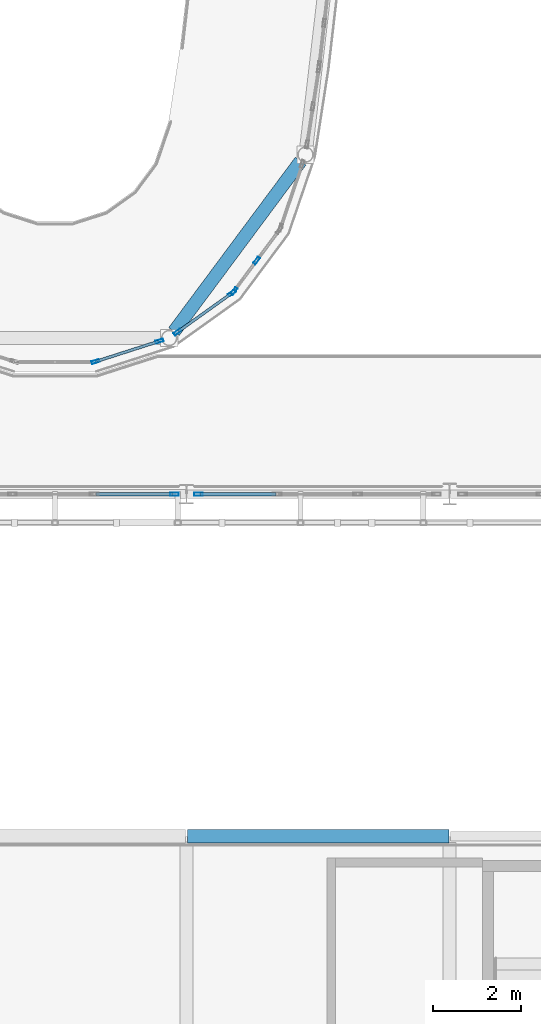
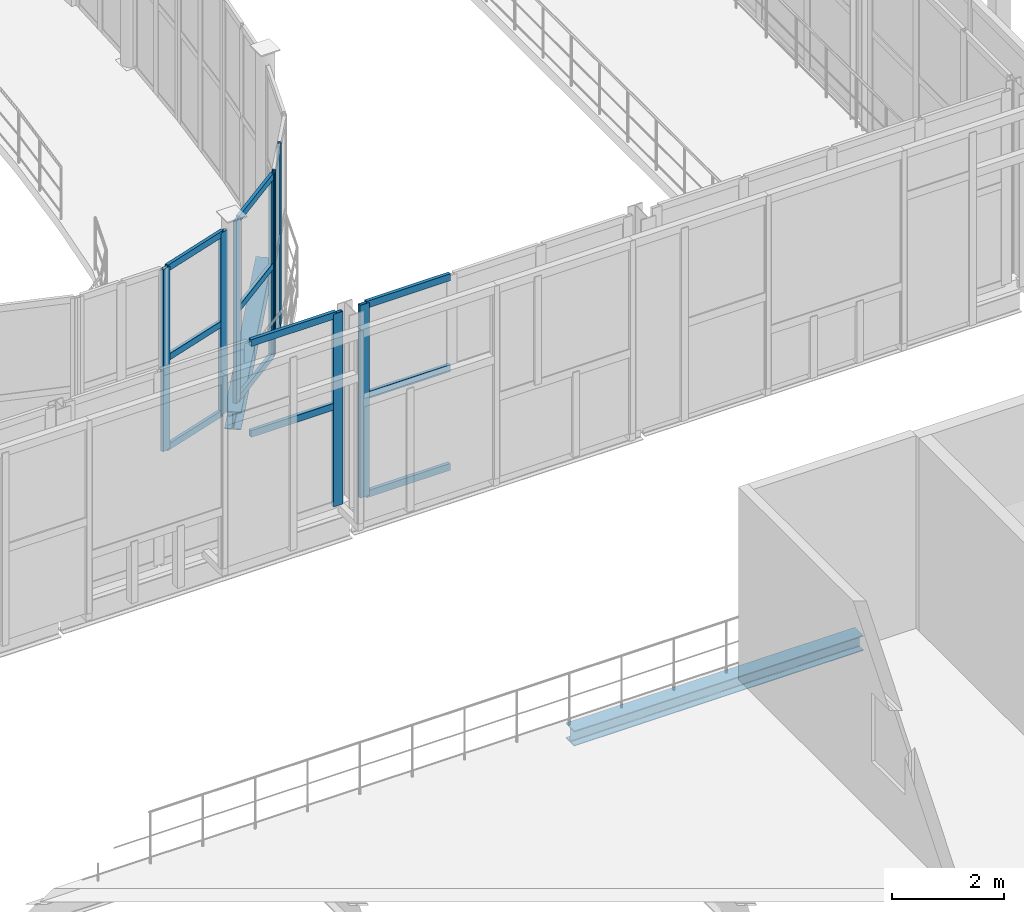
# One storey, part 30 of 138: 19 members, 2 beams, 5 elements without a shape of their own.
"""IFC4 building model written with IfcOpenShell, lengths in metres."""

import ifcopenshell
import ifcopenshell.guid

model = None  # the IFC model being written
_history = None  # IfcOwnerHistory: only IFC2X3 demands one
_inside = {}  # id of a spatial element -> (the spatial element, [elements in it])
_under = {}  # id of a project, library or spatial element -> (it, [spatial elements below it])
_declared = {}  # id of a project -> (the project, [libraries it declares])
_typed = {}  # id of a type object -> (the type object, [elements of that type])
_made_of = {}  # id of a material, layer set ... -> (it, [elements and type objects made of it])


def new_model(schema):
    """Start an empty IFC model of exactly this schema.

    Asked for "IFC4X3", IfcOpenShell would pick the latest addendum, in which some entities
    have other attributes; the version numbers below select the first issue.
    IFC2X3 requires an IfcOwnerHistory on every rooted entity: one is made here for all.
    """
    global model, _history
    if schema == "IFC4X3":
        model = ifcopenshell.file(schema_version=(4, 3, 0, 0))
    else:
        model = ifcopenshell.file(schema=schema)
    _inside.clear()
    _under.clear()
    _declared.clear()
    _typed.clear()
    _made_of.clear()
    _history = None
    if model.schema == "IFC2X3":
        org = make("IfcOrganization", Name="unknown")
        user = make(
            "IfcPersonAndOrganization",
            ThePerson=make("IfcPerson", FamilyName="unknown"),
            TheOrganization=org,
        )
        app = make(
            "IfcApplication",
            ApplicationDeveloper=org,
            Version="unknown",
            ApplicationFullName="unknown",
            ApplicationIdentifier="unknown",
        )
        _history = make(
            "IfcOwnerHistory",
            OwningUser=user,
            OwningApplication=app,
            ChangeAction="ADDED",
            CreationDate=0,
        )
    return model


def make(cls, **values):
    """One entity of the class cls with the attributes given. An attribute that is None is left unset."""
    return model.create_entity(
        cls, **{name: value for name, value in values.items() if value is not None}
    )


def rooted(cls, **values):
    """An entity with a GlobalId (a new one), such as an element, a storey or a relation."""
    return make(cls, GlobalId=ifcopenshell.guid.new(), OwnerHistory=_history, **values)


def si_unit(unit_type, name, prefix=None):
    """IfcSIUnit, for example si_unit("LENGTHUNIT", "METRE", prefix="MILLI")."""
    return make("IfcSIUnit", UnitType=unit_type, Prefix=prefix, Name=name)


def assignment(units):
    """IfcUnitAssignment: the units of a project."""
    return None if units is None else make("IfcUnitAssignment", Units=units)


def point(xyz):
    """IfcCartesianPoint."""
    return None if xyz is None else make("IfcCartesianPoint", Coordinates=xyz)


def direction(xyz):
    """IfcDirection."""
    return None if xyz is None else make("IfcDirection", DirectionRatios=xyz)


def frame(location, z_axis=None, x_axis=None):
    """IfcAxis2Placement3D, a coordinate frame: its origin and axes. An axis left out is left unset."""
    return make(
        "IfcAxis2Placement3D",
        Location=point(location),
        Axis=direction(z_axis),
        RefDirection=direction(x_axis),
    )


def frame_2d(location, x_axis=None):
    """IfcAxis2Placement2D, a coordinate frame in the plane: its origin and x axis."""
    return make(
        "IfcAxis2Placement2D", Location=point(location), RefDirection=direction(x_axis)
    )


def origin():
    """The frame at (0, 0, 0) with its axes left unset."""
    return frame((0.0, 0.0, 0.0))


def origin_2d():
    """The frame at (0, 0) in the plane with its x axis left unset."""
    return frame_2d((0.0, 0.0))


def place(relative_to, where):
    """IfcLocalPlacement: puts the frame where relative to a parent placement (None: the world)."""
    return make(
        "IfcLocalPlacement", PlacementRelTo=relative_to, RelativePlacement=where
    )


def context(
    kind, dimensions, precision=None, world=None, true_north=None, identifier=None
):
    """IfcGeometricRepresentationContext, for example the 3D "Model" context."""
    return make(
        "IfcGeometricRepresentationContext",
        ContextIdentifier=identifier,
        ContextType=kind,
        CoordinateSpaceDimension=dimensions,
        Precision=precision,
        WorldCoordinateSystem=world,
        TrueNorth=true_north,
    )


def subcontext(parent, identifier, kind, view, scale=None):
    """IfcGeometricRepresentationSubContext, for example "Body" below "Model"."""
    return make(
        "IfcGeometricRepresentationSubContext",
        ContextIdentifier=identifier,
        ContextType=kind,
        ParentContext=parent,
        TargetScale=scale,
        TargetView=view,
    )


def project(units=None, contexts=None):
    """IfcProject with its units and contexts."""
    return rooted(
        "IfcProject",
        Name="project",
        RepresentationContexts=contexts,
        UnitsInContext=assignment(units),
    )


def spatial(cls, under=None, at=None, **own):
    """A site, building, storey or space (cls), placed at a placement, below another one or the project."""
    s = rooted(cls, ObjectPlacement=at, **own)
    if under is not None:
        _under.setdefault(under.id(), (under, []))[1].append(s)
    return s


def profile(cls, at=None, kind="AREA", **sizes):
    """A parametric profile (cls). Its sizes go by their IFC names, for example OverallWidth=200.0."""
    return make(cls, ProfileType=kind, Position=at, **sizes)


def hollow_rectangle(**sizes):
    """IfcRectangleHollowProfileDef."""
    return profile("IfcRectangleHollowProfileDef", **sizes)


def i_section(**sizes):
    """IfcIShapeProfileDef."""
    return profile("IfcIShapeProfileDef", **sizes)


def extrude(swept, where, along, depth):
    """IfcExtrudedAreaSolid: the profile swept, set in the frame where, extruded along a direction by depth."""
    return make(
        "IfcExtrudedAreaSolid",
        SweptArea=swept,
        Position=where,
        ExtrudedDirection=direction(along),
        Depth=depth,
    )


def shape(context_of_items, identifier, shape_type, items):
    """IfcShapeRepresentation: the items that make up one representation, for example the "Body"."""
    return make(
        "IfcShapeRepresentation",
        ContextOfItems=context_of_items,
        RepresentationIdentifier=identifier,
        RepresentationType=shape_type,
        Items=items,
    )


def material(Name=None, Category=None):
    """IfcMaterial."""
    return make("IfcMaterial", Name=Name, Category=Category)


def layer(
    of_material, thickness, ventilated=None, Name=None, Category=None, Priority=None
):
    """IfcMaterialLayer: one layer of a wall or slab, of a material (None: an air gap)."""
    return make(
        "IfcMaterialLayer",
        Material=of_material,
        LayerThickness=thickness,
        IsVentilated=ventilated,
        Name=Name,
        Category=Category,
        Priority=Priority,
    )


def layer_set(layers, Name=None):
    """IfcMaterialLayerSet."""
    return make("IfcMaterialLayerSet", MaterialLayers=layers, LayerSetName=Name)


def material_profile(
    of_material, cross_section, Name=None, Category=None, Priority=None
):
    """IfcMaterialProfile: a cross section and its material."""
    return make(
        "IfcMaterialProfile",
        Name=Name,
        Material=of_material,
        Profile=cross_section,
        Priority=Priority,
        Category=Category,
    )


def profile_set(profiles, Name=None, composite=None):
    """IfcMaterialProfileSet."""
    return make(
        "IfcMaterialProfileSet",
        Name=Name,
        MaterialProfiles=profiles,
        CompositeProfile=composite,
    )


def made_of(thing, what):
    """Note that an element or type object is made of a material, layer set ...; save() writes the relation."""
    if what is not None:
        _made_of.setdefault(what.id(), (what, []))[1].append(thing)
    return thing


def type_object(cls, material=None, **own):
    """A type object (cls), such as IfcWallType, which elements share."""
    return made_of(rooted(cls, **own), material)


def element(
    cls,
    number,
    at=None,
    inside=None,
    cuts=None,
    type_object=None,
    material=None,
    context=None,
    identifier="Body",
    shape_type=None,
    held_by="IfcProductDefinitionShape",
    body=None,
    shapes=None,
    **own,
):
    """One element of the class cls, such as IfcWall. Its Tag is "e" and its number.

    at: its placement. inside: the storey or other place that contains it. cuts: it is an
    opening in that element (IfcRelVoidsElement). A single representation is given by context,
    identifier, shape_type and body (its items); several are given by shapes. held_by: the class
    of the entity that holds the representations. save() writes the other relations.
    """
    e = rooted(cls, Tag="e%d" % number, ObjectPlacement=at, **own)
    if body is not None:
        shapes = [shape(context, identifier, shape_type, body)]
    if shapes is not None:
        e.Representation = make(held_by, Representations=shapes)
    if inside is not None:
        _inside.setdefault(inside.id(), (inside, []))[1].append(e)
    if cuts is not None:
        rooted(
            "IfcRelVoidsElement", RelatingBuildingElement=cuts, RelatedOpeningElement=e
        )
    if type_object is not None:
        _typed.setdefault(type_object.id(), (type_object, []))[1].append(e)
    return made_of(e, material)


def aggregate(whole, parts):
    """IfcRelAggregates: a whole, such as a stair, and the parts it consists of."""
    return rooted("IfcRelAggregates", RelatingObject=whole, RelatedObjects=parts)


def save(model, path):
    """Write the relations noted so far, then the file.

    IfcRelAggregates (storeys below a building ...), IfcRelContainedInSpatialStructure (elements
    in a storey), IfcRelDefinesByType, IfcRelAssociatesMaterial and IfcRelDeclares: one each for
    every whole, place, type object, material and project.
    """
    for whole, parts in _under.values():
        aggregate(whole, parts)
    for where, things in _inside.values():
        rooted(
            "IfcRelContainedInSpatialStructure",
            RelatedElements=things,
            RelatingStructure=where,
        )
    for kind, things in _typed.values():
        rooted("IfcRelDefinesByType", RelatedObjects=things, RelatingType=kind)
    for what, things in _made_of.values():
        rooted("IfcRelAssociatesMaterial", RelatedObjects=things, RelatingMaterial=what)
    for by, libraries in _declared.values():
        rooted("IfcRelDeclares", RelatingContext=by, RelatedDefinitions=libraries)
    model.write(path)


model = new_model("IFC4")

# Units and contexts
model_context = context("Model", 3, precision=1e-05, world=origin(), true_north=direction((0.0, 1.0)))
body_context = subcontext(model_context, "Body", "Model", "MODEL_VIEW")
ifc_project = project(units=[si_unit("LENGTHUNIT", "METRE"), si_unit("AREAUNIT", "SQUARE_METRE"), si_unit("VOLUMEUNIT", "CUBIC_METRE"), si_unit("PLANEANGLEUNIT", "RADIAN"), si_unit("MASSUNIT", "GRAM", prefix="KILO")], contexts=[model_context])

# Site, building, storey
site_placement = place(None, origin())
site = spatial("IfcSite", under=ifc_project, at=site_placement, CompositionType="ELEMENT")
building_placement = place(site_placement, origin())
building = spatial("IfcBuilding", under=site, at=building_placement, Name="Vinh Khe Railworks Police Headquarters", CompositionType="ELEMENT")
storey_placement = place(building_placement, frame((0.0, 0.0, 9.0)))
storey = spatial("IfcBuildingStorey", under=building, at=storey_placement, Name="L02", CompositionType="ELEMENT", Elevation=9.0)

# Curtain wall, members
ifc_material_1 = material(Name="Anodised aluminium and acoustic laminated glass", Category="aluminium")
ifc_layer_1 = layer(ifc_material_1, 0.159912109375)
ifc_layer_set_1 = layer_set([ifc_layer_1], Name="Anodised aluminium and acoustic laminated glass")
curtain_wall_type_1 = type_object("IfcCurtainWallType", Name="CW-DRUM-CHORD", PredefinedType="USERDEFINED", material=ifc_layer_set_1)
curtain_wall_1_placement = place(storey_placement, origin())
curtain_wall_1 = element("IfcCurtainWall", 1, at=curtain_wall_1_placement, inside=storey, type_object=curtain_wall_type_1, Name="Elliptical Command Drum Glazing L02 Chord 33", ObjectType="DRUM FACADE GLAZING", PredefinedType="USERDEFINED")
ifc_material_2 = material(Name="Anodised aluminium 6063-T6", Category="aluminium")
ifc_material_profile_1 = material_profile(ifc_material_2, hollow_rectangle(XDim=0.06494140625, YDim=0.179931640625, WallThickness=0.0048828125, at=origin_2d()), Name="CW-M 65x180x5")
ifc_profile_set_1 = profile_set([ifc_material_profile_1], Name="Anodised aluminium 6063-T6")
member_type_1 = type_object("IfcMemberType", Name="MULL-CWM-02", PredefinedType="MULLION", material=ifc_profile_set_1)
member_1_placement = place(storey_placement, frame((44.1279296875, 28.224365234375, 0.0), z_axis=(0.0, 0.0, 1.0), x_axis=(-0.305575355525, 0.952167895959, 0.0)))
member_1 = element("IfcMember", 2, at=member_1_placement, type_object=member_type_1, Name="CW-02 mullion 1", PredefinedType="MULLION", context=body_context, shape_type="SweptSolid", body=[
    extrude(hollow_rectangle(XDim=0.06494140625, YDim=0.179931640625, WallThickness=0.0048828125, at=origin_2d()), origin(), (0.0, 0.0, 1.0), 3.969970703125),
])
member_2_placement = place(storey_placement, frame((45.585693359375, 28.692138671875, 0.0), z_axis=(0.0, 0.0, 1.0), x_axis=(-0.305575355525, 0.952167895959, 0.0)))
member_2 = element("IfcMember", 3, at=member_2_placement, type_object=member_type_1, Name="CW-02 mullion 2", PredefinedType="MULLION", context=body_context, shape_type="SweptSolid", body=[
    extrude(hollow_rectangle(XDim=0.06494140625, YDim=0.179931640625, WallThickness=0.0048828125, at=origin_2d()), origin(), (0.0, 0.0, 1.0), 3.969970703125),
])

curtain_wall_2_placement = place(storey_placement, origin())
curtain_wall_2 = element("IfcCurtainWall", 4, at=curtain_wall_2_placement, inside=storey, type_object=curtain_wall_type_1, Name="Elliptical Command Drum Glazing L02 Chord 34", ObjectType="DRUM FACADE GLAZING", PredefinedType="USERDEFINED")
member_3_placement = place(storey_placement, frame((45.992431640625, 28.896484375, 0.0), z_axis=(0.0, 0.0, 1.0), x_axis=(-0.581915407422, 0.813249321306, 0.0)))
member_3 = element("IfcMember", 5, at=member_3_placement, type_object=member_type_1, Name="CW-02 mullion 1", PredefinedType="MULLION", context=body_context, shape_type="SweptSolid", body=[
    extrude(hollow_rectangle(XDim=0.06494140625, YDim=0.179931640625, WallThickness=0.0048828125, at=origin_2d()), origin(), (0.0, 0.0, 1.0), 3.969970703125),
])
member_4_placement = place(storey_placement, frame((47.237548828125, 29.78759765625, 0.0), z_axis=(0.0, 0.0, 1.0), x_axis=(-0.581915407422, 0.813249321306, 0.0)))
member_4 = element("IfcMember", 6, at=member_4_placement, type_object=member_type_1, Name="CW-02 mullion 2", PredefinedType="MULLION", context=body_context, shape_type="SweptSolid", body=[
    extrude(hollow_rectangle(XDim=0.06494140625, YDim=0.179931640625, WallThickness=0.0048828125, at=origin_2d()), origin(), (0.0, 0.0, 1.0), 3.969970703125),
])

curtain_wall_3_placement = place(storey_placement, origin())
curtain_wall_3 = element("IfcCurtainWall", 7, at=curtain_wall_3_placement, inside=storey, type_object=curtain_wall_type_1, Name="Elliptical Command Drum Glazing L02 Chord 35", ObjectType="DRUM FACADE GLAZING", PredefinedType="USERDEFINED")
member_5_placement = place(storey_placement, frame((47.283447265625, 29.83251953125, 0.0), z_axis=(0.0, 0.0, 1.0), x_axis=(-0.802591949394, 0.596528425784, 0.0)))
member_5 = element("IfcMember", 8, at=member_5_placement, type_object=member_type_1, Name="CW-02 mullion 1", PredefinedType="MULLION", context=body_context, shape_type="SweptSolid", body=[
    extrude(hollow_rectangle(XDim=0.06494140625, YDim=0.179931640625, WallThickness=0.0048828125, at=origin_2d()), origin(), (0.0, 0.0, 1.0), 3.969970703125),
])
member_6_placement = place(storey_placement, frame((47.799072265625, 30.5263671875, 0.0), z_axis=(0.0, 0.0, 1.0), x_axis=(-0.802591949394, 0.596528425784, 0.0)))
member_6 = element("IfcMember", 9, at=member_6_placement, type_object=member_type_1, Name="CW-02 mullion 2", PredefinedType="MULLION", context=body_context, shape_type="SweptSolid", body=[
    extrude(hollow_rectangle(XDim=0.06494140625, YDim=0.179931640625, WallThickness=0.0048828125, at=origin_2d()), origin(), (0.0, 0.0, 1.0), 3.969970703125),
])
aggregate(curtain_wall_3, [member_5, member_6])

# Curtain wall, member
ifc_material_3 = material(Name="Anodised aluminium and low-iron glass", Category="aluminium")
ifc_layer_2 = layer(ifc_material_3, 0.179931640625)
ifc_layer_set_2 = layer_set([ifc_layer_2], Name="Anodised aluminium and low-iron glass")
curtain_wall_type_2 = type_object("IfcCurtainWallType", Name="CW-CUBE-UNIT", PredefinedType="USERDEFINED", material=ifc_layer_set_2)
curtain_wall_4_placement = place(storey_placement, origin())
curtain_wall_4 = element("IfcCurtainWall", 10, at=curtain_wall_4_placement, inside=storey, type_object=curtain_wall_type_2, Name="Entrance Hall Curtain Wall L02 S-3", ObjectType="UNITISED GLAZING", PredefinedType="USERDEFINED")
ifc_material_profile_2 = material_profile(ifc_material_2, hollow_rectangle(XDim=0.070068359375, YDim=0.199951171875, WallThickness=0.0048828125, at=origin_2d()), Name="CW-M 70x200x5")
ifc_profile_set_2 = profile_set([ifc_material_profile_2], Name="Anodised aluminium 6063-T6")
member_type_2 = type_object("IfcMemberType", Name="MULL-CWM-03", PredefinedType="MULLION", material=ifc_profile_set_2)
member_7_placement = place(storey_placement, frame((45.925048828125, 25.199951171875, 0.0), z_axis=(0.0, 0.0, 1.0), x_axis=(0.0, 1.0, 0.0)))
member_7 = element("IfcMember", 11, at=member_7_placement, type_object=member_type_2, Name="CW-01 mullion 4", PredefinedType="MULLION", context=body_context, shape_type="SweptSolid", body=[
    extrude(hollow_rectangle(XDim=0.070068359375, YDim=0.199951171875, WallThickness=0.0048828125, at=origin_2d()), origin(), (0.0, 0.0, 1.0), 4.199951171875),
])

curtain_wall_5_placement = place(storey_placement, origin())
curtain_wall_5 = element("IfcCurtainWall", 12, at=curtain_wall_5_placement, inside=storey, type_object=curtain_wall_type_2, Name="Entrance Hall Curtain Wall L02 S-4", ObjectType="UNITISED GLAZING", PredefinedType="USERDEFINED")
member_8_placement = place(storey_placement, frame((46.47509765625, 25.199951171875, 0.0), z_axis=(0.0, 0.0, 1.0), x_axis=(0.0, 1.0, 0.0)))
member_8 = element("IfcMember", 13, at=member_8_placement, type_object=member_type_2, Name="CW-01 mullion 1", PredefinedType="MULLION", context=body_context, shape_type="SweptSolid", body=[
    extrude(hollow_rectangle(XDim=0.070068359375, YDim=0.199951171875, WallThickness=0.0048828125, at=origin_2d()), origin(), (0.0, 0.0, 1.0), 4.199951171875),
])

# Beams
ifc_material_4 = material(Name="Steel S355JR", Category="steel")
ifc_material_profile_3 = material_profile(ifc_material_4, i_section(OverallWidth=0.300048828125, OverallDepth=0.330078125, WebThickness=0.009521484375, FlangeThickness=0.0166015625, FilletRadius=0.027099609375, at=origin_2d()), Name="HEA 340")
ifc_profile_set_3 = profile_set([ifc_material_profile_3], Name="Steel S355JR")
beam_type_1 = type_object("IfcBeamType", Name="Steel Girder HEA 340", PredefinedType="BEAM", material=ifc_profile_set_3)
beam_1_placement = place(storey_placement, frame((46.219970703125, 17.39990234375, -0.385009765625), z_axis=(1.0, 0.0, 0.0), x_axis=(0.0, 1.0, 0.0)))
element("IfcBeam", 14, at=beam_1_placement, inside=storey, type_object=beam_type_1, Name="Girder BM-L02-EW-SB-16-0758", PredefinedType="BEAM", context=body_context, shape_type="SweptSolid", body=[
    extrude(i_section(OverallWidth=0.300048828125, OverallDepth=0.330078125, WebThickness=0.009521484375, FlangeThickness=0.0166015625, FilletRadius=0.027099609375, at=origin_2d()), origin(), (0.0, 0.0, 1.0), 5.9599609375),
])
ifc_material_profile_4 = material_profile(ifc_material_4, i_section(OverallWidth=0.300048828125, OverallDepth=0.389892578125, WebThickness=0.010986328125, FlangeThickness=0.01904296875, FilletRadius=0.027099609375, at=origin_2d()), Name="HEA 400")
ifc_profile_set_4 = profile_set([ifc_material_profile_4], Name="Steel S355JR")
beam_type_2 = type_object("IfcBeamType", Name="Steel Girder HEA 400", PredefinedType="BEAM", material=ifc_profile_set_4)
beam_2_placement = place(storey_placement, frame((45.914306640625, 28.909423828125, -0.4150390625), z_axis=(0.596510507995, 0.802605266524, 0.0), x_axis=(-0.802605266524, 0.596510507995, 0.0)))
element("IfcBeam", 15, at=beam_2_placement, inside=storey, type_object=beam_type_2, Name="Drum Ring Girder BM-L02-DRUM-SB-14-1022", PredefinedType="BEAM", context=body_context, shape_type="SweptSolid", body=[
    extrude(i_section(OverallWidth=0.300048828125, OverallDepth=0.389892578125, WebThickness=0.010986328125, FlangeThickness=0.01904296875, FilletRadius=0.027099609375, at=origin_2d()), origin(), (0.0, 0.0, 1.0), 4.84375),
])

# Member
ifc_material_profile_5 = material_profile(ifc_material_2, hollow_rectangle(XDim=0.06494140625, YDim=0.139892578125, WallThickness=0.00390625, at=origin_2d()), Name="CW-T 65x140x4")
ifc_profile_set_5 = profile_set([ifc_material_profile_5], Name="Anodised aluminium 6063-T6")
member_type_3 = type_object("IfcMemberType", Name="TRAN-CWT-02", PredefinedType="USERDEFINED", material=ifc_profile_set_5)
member_9_placement = place(storey_placement, frame((44.158935546875, 28.234130859375, 0.032470703125), z_axis=(0.952170531447, 0.305567143268, 0.0), x_axis=(-0.305567143268, 0.952170531447, 0.0)))
member_9 = element("IfcMember", 16, at=member_9_placement, type_object=member_type_3, Name="CW-02 transom 1.1", ObjectType="TRANSOM", PredefinedType="USERDEFINED", context=body_context, shape_type="SweptSolid", body=[
    extrude(hollow_rectangle(XDim=0.06494140625, YDim=0.139892578125, WallThickness=0.00390625, at=origin_2d()), origin(), (0.0, 0.0, 1.0), 1.466064453125),
])

member_10_placement = place(storey_placement, frame((44.158935546875, 28.234130859375, 1.985107421875), z_axis=(0.952170531447, 0.305567143268, 0.0), x_axis=(-0.305567143268, 0.952170531447, 0.0)))
member_10 = element("IfcMember", 17, at=member_10_placement, type_object=member_type_3, Name="CW-02 transom 1.2", ObjectType="TRANSOM", PredefinedType="USERDEFINED", context=body_context, shape_type="SweptSolid", body=[
    extrude(hollow_rectangle(XDim=0.06494140625, YDim=0.139892578125, WallThickness=0.00390625, at=origin_2d()), origin(), (0.0, 0.0, 1.0), 1.466064453125),
])

member_11_placement = place(storey_placement, frame((44.158935546875, 28.234130859375, 3.9375), z_axis=(0.952170531447, 0.305567143268, 0.0), x_axis=(-0.305567143268, 0.952170531447, 0.0)))
member_11 = element("IfcMember", 18, at=member_11_placement, type_object=member_type_3, Name="CW-02 transom 1.3", ObjectType="TRANSOM", PredefinedType="USERDEFINED", context=body_context, shape_type="SweptSolid", body=[
    extrude(hollow_rectangle(XDim=0.06494140625, YDim=0.139892578125, WallThickness=0.00390625, at=origin_2d()), origin(), (0.0, 0.0, 1.0), 1.466064453125),
])

aggregate(curtain_wall_1, [member_1, member_2, member_9, member_10, member_11])

member_12_placement = place(storey_placement, frame((46.018798828125, 28.91552734375, 0.032470703125), z_axis=(0.813305688123, 0.58183662455, 0.0), x_axis=(-0.58183662455, 0.813305688123, 0.0)))
member_12 = element("IfcMember", 19, at=member_12_placement, type_object=member_type_3, Name="CW-02 transom 1.1", ObjectType="TRANSOM", PredefinedType="USERDEFINED", context=body_context, shape_type="SweptSolid", body=[
    extrude(hollow_rectangle(XDim=0.06494140625, YDim=0.139892578125, WallThickness=0.00390625, at=origin_2d()), origin(), (0.0, 0.0, 1.0), 1.466064453125),
])

member_13_placement = place(storey_placement, frame((46.018798828125, 28.91552734375, 1.985107421875), z_axis=(0.813305688123, 0.58183662455, 0.0), x_axis=(-0.58183662455, 0.813305688123, 0.0)))
member_13 = element("IfcMember", 20, at=member_13_placement, type_object=member_type_3, Name="CW-02 transom 1.2", ObjectType="TRANSOM", PredefinedType="USERDEFINED", context=body_context, shape_type="SweptSolid", body=[
    extrude(hollow_rectangle(XDim=0.06494140625, YDim=0.139892578125, WallThickness=0.00390625, at=origin_2d()), origin(), (0.0, 0.0, 1.0), 1.466064453125),
])

member_14_placement = place(storey_placement, frame((46.018798828125, 28.91552734375, 3.9375), z_axis=(0.813305688123, 0.58183662455, 0.0), x_axis=(-0.58183662455, 0.813305688123, 0.0)))
member_14 = element("IfcMember", 21, at=member_14_placement, type_object=member_type_3, Name="CW-02 transom 1.3", ObjectType="TRANSOM", PredefinedType="USERDEFINED", context=body_context, shape_type="SweptSolid", body=[
    extrude(hollow_rectangle(XDim=0.06494140625, YDim=0.139892578125, WallThickness=0.00390625, at=origin_2d()), origin(), (0.0, 0.0, 1.0), 1.466064453125),
])

aggregate(curtain_wall_2, [member_3, member_4, member_12, member_13, member_14])

ifc_material_profile_6 = material_profile(ifc_material_2, hollow_rectangle(XDim=0.070068359375, YDim=0.14990234375, WallThickness=0.0048828125, at=origin_2d()), Name="CW-T 70x150x5")
ifc_profile_set_6 = profile_set([ifc_material_profile_6], Name="Anodised aluminium 6063-T6")
member_type_4 = type_object("IfcMemberType", Name="TRAN-CWT-03", PredefinedType="USERDEFINED", material=ifc_profile_set_6)
member_15_placement = place(storey_placement, frame((44.131591796875, 25.199951171875, 2.18408203125), z_axis=(1.0, 0.0, 0.0), x_axis=(0.0, 1.0, 0.0)))
member_15 = element("IfcMember", 22, at=member_15_placement, type_object=member_type_4, Name="CW-01 transom 3.2", ObjectType="TRANSOM", PredefinedType="USERDEFINED", context=body_context, shape_type="SweptSolid", body=[
    extrude(hollow_rectangle(XDim=0.070068359375, YDim=0.14990234375, WallThickness=0.0048828125, at=origin_2d()), origin(), (0.0, 0.0, 1.0), 1.75830078125),
])

member_16_placement = place(storey_placement, frame((44.131591796875, 25.199951171875, 4.1650390625), z_axis=(1.0, 0.0, 0.0), x_axis=(0.0, 1.0, 0.0)))
member_16 = element("IfcMember", 23, at=member_16_placement, type_object=member_type_4, Name="CW-01 transom 3.3", ObjectType="TRANSOM", PredefinedType="USERDEFINED", context=body_context, shape_type="SweptSolid", body=[
    extrude(hollow_rectangle(XDim=0.070068359375, YDim=0.14990234375, WallThickness=0.0048828125, at=origin_2d()), origin(), (0.0, 0.0, 1.0), 1.75830078125),
])

aggregate(curtain_wall_4, [member_7, member_15, member_16])

member_17_placement = place(storey_placement, frame((46.510009765625, 25.199951171875, 0.034912109375), z_axis=(1.0, 0.0, 0.0), x_axis=(0.0, 1.0, 0.0)))
member_17 = element("IfcMember", 24, at=member_17_placement, type_object=member_type_4, Name="CW-01 transom 1.1", ObjectType="TRANSOM", PredefinedType="USERDEFINED", context=body_context, shape_type="SweptSolid", body=[
    extrude(hollow_rectangle(XDim=0.070068359375, YDim=0.14990234375, WallThickness=0.0048828125, at=origin_2d()), origin(), (0.0, 0.0, 1.0), 1.7265625),
])

member_18_placement = place(storey_placement, frame((46.510009765625, 25.199951171875, 2.18408203125), z_axis=(1.0, 0.0, 0.0), x_axis=(0.0, 1.0, 0.0)))
member_18 = element("IfcMember", 25, at=member_18_placement, type_object=member_type_4, Name="CW-01 transom 1.2", ObjectType="TRANSOM", PredefinedType="USERDEFINED", context=body_context, shape_type="SweptSolid", body=[
    extrude(hollow_rectangle(XDim=0.070068359375, YDim=0.14990234375, WallThickness=0.0048828125, at=origin_2d()), origin(), (0.0, 0.0, 1.0), 1.7265625),
])

member_19_placement = place(storey_placement, frame((46.510009765625, 25.199951171875, 4.1650390625), z_axis=(1.0, 0.0, 0.0), x_axis=(0.0, 1.0, 0.0)))
member_19 = element("IfcMember", 26, at=member_19_placement, type_object=member_type_4, Name="CW-01 transom 1.3", ObjectType="TRANSOM", PredefinedType="USERDEFINED", context=body_context, shape_type="SweptSolid", body=[
    extrude(hollow_rectangle(XDim=0.070068359375, YDim=0.14990234375, WallThickness=0.0048828125, at=origin_2d()), origin(), (0.0, 0.0, 1.0), 1.7265625),
])

aggregate(curtain_wall_5, [member_8, member_17, member_18, member_19])

save(model, "model.ifc")
